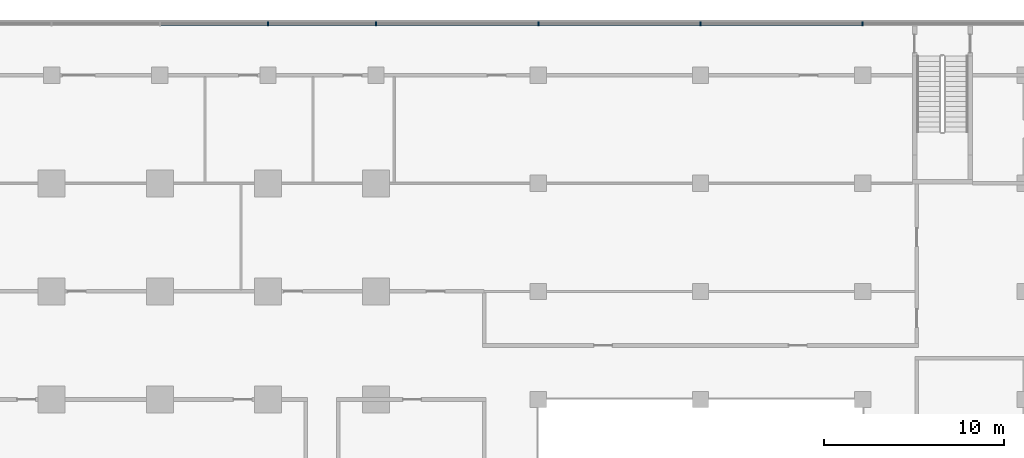
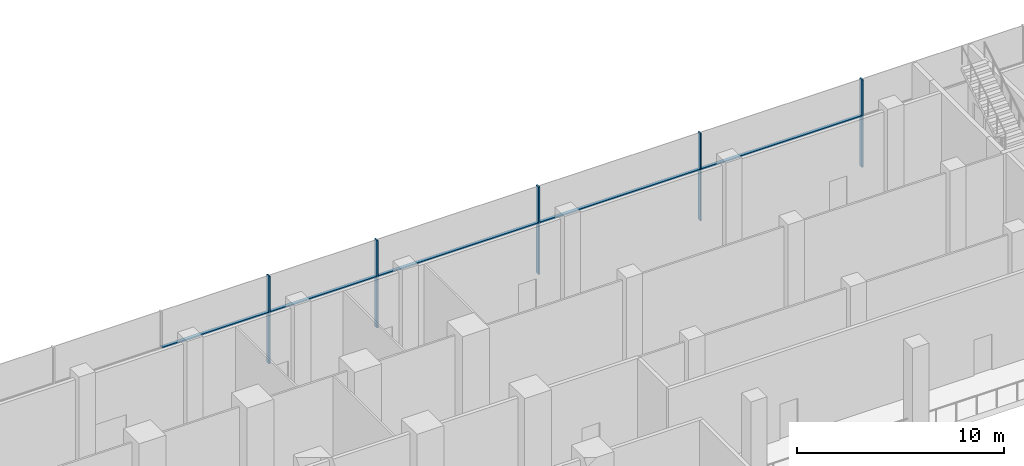
# One storey, part 8 of 22: 10 members, 1 element without a shape of its own.
"""IFC4 building model written with IfcOpenShell, lengths in metres."""

from ifc_helpers import new_model, si_unit, direction, frame, origin, origin_2d, place, context, subcontext, project, spatial, rectangle, extrude, material, material_profile, profile_set, type_object, element, aggregate, save


model = new_model("IFC4")

# Units and contexts
model_context = context("Model", 3, precision=1e-05, world=origin(), true_north=direction((0.0, 1.0)))
body_context = subcontext(model_context, "Body", "Model", "MODEL_VIEW")
ifc_project = project(units=[si_unit("LENGTHUNIT", "METRE"), si_unit("AREAUNIT", "SQUARE_METRE"), si_unit("VOLUMEUNIT", "CUBIC_METRE"), si_unit("PLANEANGLEUNIT", "RADIAN"), si_unit("MASSUNIT", "GRAM", prefix="KILO")], contexts=[model_context])

# Site, building, storey
site_placement = place(None, origin())
site = spatial("IfcSite", under=ifc_project, at=site_placement, CompositionType="ELEMENT")
building_placement = place(site_placement, origin())
building = spatial("IfcBuilding", under=site, at=building_placement, Name="Finial Court Residences", CompositionType="ELEMENT")
storey_placement = place(building_placement, frame((0.0, 0.0, 8.0)))
storey = spatial("IfcBuildingStorey", under=building, at=storey_placement, Name="L01", CompositionType="ELEMENT", Elevation=8.0)

# Curtain wall, members
ifc_material = material(Name="Bronze anodised aluminium", Category="aluminium")
curtain_wall_type = type_object("IfcCurtainWallType", Name="Podium curtain wall", PredefinedType="NOTDEFINED", material=ifc_material)
curtain_wall_placement = place(storey_placement, origin())
curtain_wall = element("IfcCurtainWall", 1, at=curtain_wall_placement, inside=storey, type_object=curtain_wall_type, Name="E-L01-CW-N1", PredefinedType="NOTDEFINED")
ifc_material_profile_1 = material_profile(ifc_material, rectangle(XDim=0.22509765625, YDim=0.080078125, at=origin_2d()), Name="CW5 mullion 80 x 225")
ifc_profile_set_1 = profile_set([ifc_material_profile_1], Name="Bronze anodised aluminium")
member_type_1 = type_object("IfcMemberType", Name="CW5 mullion 80 x 225", PredefinedType="MULLION", material=ifc_profile_set_1)
member_1_placement = place(storey_placement, frame((16.5, 34.35009765625, 0.0), z_axis=(0.0, 0.0, 1.0), x_axis=(0.0, 1.0, 0.0)))
member_1 = element("IfcMember", 2, at=member_1_placement, type_object=member_type_1, Name="CW5 mullion 9", PredefinedType="MULLION", context=body_context, shape_type="SweptSolid", body=[
    extrude(rectangle(XDim=0.22509765625, YDim=0.080078125, at=origin_2d()), origin(), (0.0, 0.0, 1.0), 5.14990234375),
])
member_2_placement = place(storey_placement, frame((22.5, 34.35009765625, 0.0), z_axis=(0.0, 0.0, 1.0), x_axis=(0.0, 1.0, 0.0)))
member_2 = element("IfcMember", 3, at=member_2_placement, type_object=member_type_1, Name="CW5 mullion 10", PredefinedType="MULLION", context=body_context, shape_type="SweptSolid", body=[
    extrude(rectangle(XDim=0.22509765625, YDim=0.080078125, at=origin_2d()), origin(), (0.0, 0.0, 1.0), 5.14990234375),
])
member_3_placement = place(storey_placement, frame((31.5, 34.35009765625, 0.0), z_axis=(0.0, 0.0, 1.0), x_axis=(0.0, 1.0, 0.0)))
member_3 = element("IfcMember", 4, at=member_3_placement, type_object=member_type_1, Name="CW5 mullion 11", PredefinedType="MULLION", context=body_context, shape_type="SweptSolid", body=[
    extrude(rectangle(XDim=0.22509765625, YDim=0.080078125, at=origin_2d()), origin(), (0.0, 0.0, 1.0), 5.14990234375),
])
member_4_placement = place(storey_placement, frame((40.5, 34.35009765625, 0.0), z_axis=(0.0, 0.0, 1.0), x_axis=(0.0, 1.0, 0.0)))
member_4 = element("IfcMember", 5, at=member_4_placement, type_object=member_type_1, Name="CW5 mullion 12", PredefinedType="MULLION", context=body_context, shape_type="SweptSolid", body=[
    extrude(rectangle(XDim=0.22509765625, YDim=0.080078125, at=origin_2d()), origin(), (0.0, 0.0, 1.0), 5.14990234375),
])
member_5_placement = place(storey_placement, frame((49.5, 34.35009765625, 0.0), z_axis=(0.0, 0.0, 1.0), x_axis=(0.0, 1.0, 0.0)))
member_5 = element("IfcMember", 6, at=member_5_placement, type_object=member_type_1, Name="CW5 mullion 13", PredefinedType="MULLION", context=body_context, shape_type="SweptSolid", body=[
    extrude(rectangle(XDim=0.22509765625, YDim=0.080078125, at=origin_2d()), origin(), (0.0, 0.0, 1.0), 5.14990234375),
])
ifc_material_profile_2 = material_profile(ifc_material, rectangle(XDim=0.175048828125, YDim=0.080078125, at=origin_2d()), Name="CW5 transom 80 x 175")
ifc_profile_set_2 = profile_set([ifc_material_profile_2], Name="Bronze anodised aluminium")
member_type_2 = type_object("IfcMemberType", Name="CW5 transom 80 x 175", PredefinedType="USERDEFINED", material=ifc_profile_set_2)
member_6_placement = place(storey_placement, frame((10.5400390625, 34.35009765625, 3.0), z_axis=(1.0, 0.0, 0.0), x_axis=(0.0, 1.0, 0.0)))
member_6 = element("IfcMember", 7, at=member_6_placement, type_object=member_type_2, Name="CW5 transom 8.1", ObjectType="TRANSOM", PredefinedType="USERDEFINED", context=body_context, shape_type="SweptSolid", body=[
    extrude(rectangle(XDim=0.175048828125, YDim=0.080078125, at=origin_2d()), origin(), (0.0, 0.0, 1.0), 5.919921875),
])
member_7_placement = place(storey_placement, frame((16.5400390625, 34.35009765625, 3.0), z_axis=(1.0, 0.0, 0.0), x_axis=(0.0, 1.0, 0.0)))
member_7 = element("IfcMember", 8, at=member_7_placement, type_object=member_type_2, Name="CW5 transom 9.1", ObjectType="TRANSOM", PredefinedType="USERDEFINED", context=body_context, shape_type="SweptSolid", body=[
    extrude(rectangle(XDim=0.175048828125, YDim=0.080078125, at=origin_2d()), origin(), (0.0, 0.0, 1.0), 5.919921875),
])
member_8_placement = place(storey_placement, frame((22.5400390625, 34.35009765625, 3.0), z_axis=(1.0, 0.0, 0.0), x_axis=(0.0, 1.0, 0.0)))
member_8 = element("IfcMember", 9, at=member_8_placement, type_object=member_type_2, Name="CW5 transom 10.1", ObjectType="TRANSOM", PredefinedType="USERDEFINED", context=body_context, shape_type="SweptSolid", body=[
    extrude(rectangle(XDim=0.175048828125, YDim=0.080078125, at=origin_2d()), origin(), (0.0, 0.0, 1.0), 8.919921875),
])
member_9_placement = place(storey_placement, frame((31.5400390625, 34.35009765625, 3.0), z_axis=(1.0, 0.0, 0.0), x_axis=(0.0, 1.0, 0.0)))
member_9 = element("IfcMember", 10, at=member_9_placement, type_object=member_type_2, Name="CW5 transom 11.1", ObjectType="TRANSOM", PredefinedType="USERDEFINED", context=body_context, shape_type="SweptSolid", body=[
    extrude(rectangle(XDim=0.175048828125, YDim=0.080078125, at=origin_2d()), origin(), (0.0, 0.0, 1.0), 8.919921875),
])
member_10_placement = place(storey_placement, frame((40.5400390625, 34.35009765625, 3.0), z_axis=(1.0, 0.0, 0.0), x_axis=(0.0, 1.0, 0.0)))
member_10 = element("IfcMember", 11, at=member_10_placement, type_object=member_type_2, Name="CW5 transom 12.1", ObjectType="TRANSOM", PredefinedType="USERDEFINED", context=body_context, shape_type="SweptSolid", body=[
    extrude(rectangle(XDim=0.175048828125, YDim=0.080078125, at=origin_2d()), origin(), (0.0, 0.0, 1.0), 8.919921875),
])
aggregate(curtain_wall, [member_1, member_2, member_3, member_4, member_5, member_6, member_7, member_8, member_9, member_10])

save(model, "model.ifc")
